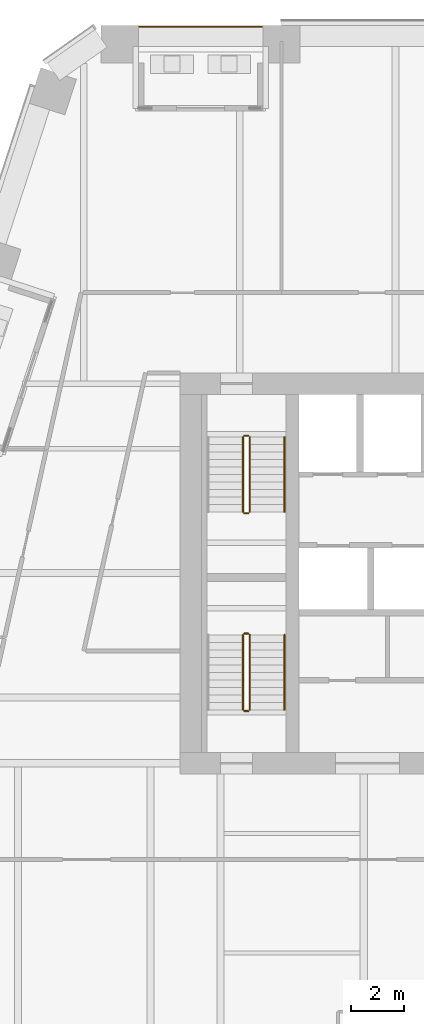
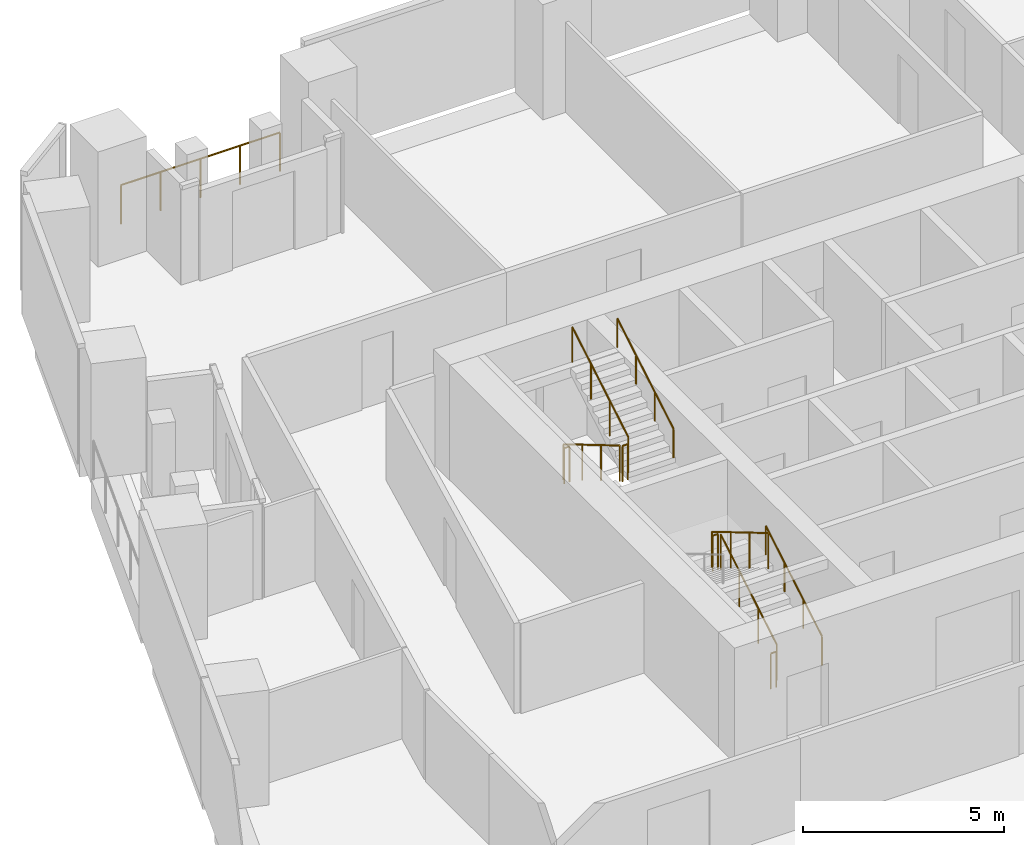
# One storey, part 24 of 26: 11 railings.
"""IFC4 building model written with IfcOpenShell, lengths in metres."""

from ifc_helpers import new_model, si_unit, direction, frame, origin, origin_2d, place, context, subcontext, project, spatial, circle, extrude, material, type_object, element, save


model = new_model("IFC4")

# Units and contexts
model_context = context("Model", 3, precision=1e-05, world=origin(), true_north=direction((0.0, 1.0)))
body_context = subcontext(model_context, "Body", "Model", "MODEL_VIEW")
ifc_project = project(units=[si_unit("LENGTHUNIT", "METRE"), si_unit("AREAUNIT", "SQUARE_METRE"), si_unit("VOLUMEUNIT", "CUBIC_METRE"), si_unit("PLANEANGLEUNIT", "RADIAN"), si_unit("MASSUNIT", "GRAM", prefix="KILO")], contexts=[model_context])

# Site, building, storey
site_placement = place(None, origin())
site = spatial("IfcSite", under=ifc_project, at=site_placement, CompositionType="ELEMENT")
building_placement = place(site_placement, origin())
building = spatial("IfcBuilding", under=site, at=building_placement, Name="Isthmus Gate Tower", CompositionType="ELEMENT")
storey_placement = place(building_placement, frame((0.0, 0.0, 144.39990234375)))
storey = spatial("IfcBuildingStorey", under=building, at=storey_placement, Name="L35", CompositionType="ELEMENT", Elevation=144.39990234375)

# Railings
ifc_material_1 = material(Name="Toughened laminated glass with stainless steel posts", Category="steel")
railing_type_1 = type_object("IfcRailingType", Name="GUARD 1200 FRAMELESS GLASS", PredefinedType="GUARDRAIL", material=ifc_material_1)
railing_1_placement = place(storey_placement, frame((-11.951904296875, 27.949951171875, 0.0)))
element("IfcRailing", 1, at=railing_1_placement, inside=storey, type_object=railing_type_1, Name="LOGGIA GUARD", PredefinedType="GUARDRAIL", context=body_context, shape_type="SweptSolid", body=[
    extrude(circle(Radius=0.02490234375, at=origin_2d()), frame((0.0, 0.0, 1.1748046875), z_axis=(-1.0, 0.0, 0.0), x_axis=(0.0, -1.0, 0.0)), (0.0, 0.0, 1.0), 4.570068359375),
    extrude(circle(Radius=0.02490234375, at=origin_2d()), origin(), (0.0, 0.0, 1.0), 1.14990234375),
    extrude(circle(Radius=0.02490234375, at=origin_2d()), frame((-1.142578125, 0.0, 0.0)), (0.0, 0.0, 1.0), 1.14990234375),
    extrude(circle(Radius=0.02490234375, at=origin_2d()), frame((-2.28515625, 0.0, 0.0)), (0.0, 0.0, 1.0), 1.14990234375),
    extrude(circle(Radius=0.02490234375, at=origin_2d()), frame((-3.427490234375, 0.0, 0.0)), (0.0, 0.0, 1.0), 1.14990234375),
    extrude(circle(Radius=0.02490234375, at=origin_2d()), frame((-4.570068359375, 0.0, 0.0)), (0.0, 0.0, 1.0), 1.14990234375),
])
ifc_material_2 = material(Name="Stainless steel balustrade", Category="steel")
railing_type_2 = type_object("IfcRailingType", Name="STAIR GUARD 1100", PredefinedType="GUARDRAIL", material=ifc_material_2)
railing_2_placement = place(storey_placement, frame((-12.64990234375, 12.60009765625, 0.166015625)))
element("IfcRailing", 2, at=railing_2_placement, inside=storey, type_object=railing_type_2, Name="L35 ST1 stair guard 1", PredefinedType="GUARDRAIL", context=body_context, shape_type="SweptSolid", body=[
    extrude(circle(Radius=0.02392578125, at=origin_2d()), frame((0.0, 0.0, 1.076171875), z_axis=(0.0, -0.860306154799, 0.50977771628), x_axis=(1.0, 0.0, 0.0)), (0.0, 0.0, 1.0), 3.254638671875),
    extrude(circle(Radius=0.02099609375, at=origin_2d()), origin(), (0.0, 0.0, 1.0), 1.052001953125),
    extrude(circle(Radius=0.02099609375, at=origin_2d()), frame((0.0, -0.933349609375, 0.552978515625)), (0.0, 0.0, 1.0), 1.052001953125),
    extrude(circle(Radius=0.02099609375, at=origin_2d()), frame((0.0, -1.86669921875, 1.106201171875)), (0.0, 0.0, 1.0), 1.052001953125),
    extrude(circle(Radius=0.02099609375, at=origin_2d()), frame((0.0, -2.800048828125, 1.6591796875)), (0.0, 0.0, 1.0), 1.052001953125),
])
railing_3_placement = place(storey_placement, frame((-12.60009765625, 9.75, 1.8251953125)))
element("IfcRailing", 3, at=railing_3_placement, inside=storey, type_object=railing_type_2, Name="L35 ST1 stair guard 2", PredefinedType="GUARDRAIL", context=body_context, shape_type="SweptSolid", body=[
    extrude(circle(Radius=0.02392578125, at=origin_2d()), frame((0.0, 0.0, 1.076171875), z_axis=(1.0, 0.0, 0.0), x_axis=(0.0, 1.0, 0.0)), (0.0, 0.0, 1.0), 0.150146484375),
    extrude(circle(Radius=0.02099609375, at=origin_2d()), origin(), (0.0, 0.0, 1.0), 1.052001953125),
    extrude(circle(Radius=0.02099609375, at=origin_2d()), frame((0.150146484375, 0.0, 0.0)), (0.0, 0.0, 1.0), 1.052001953125),
])
railing_4_placement = place(storey_placement, frame((-12.39990234375, 9.800048828125, 1.990966796875)))
element("IfcRailing", 4, at=railing_4_placement, inside=storey, type_object=railing_type_2, Name="L35 ST1 stair guard 3", PredefinedType="GUARDRAIL", context=body_context, shape_type="SweptSolid", body=[
    extrude(circle(Radius=0.02392578125, at=origin_2d()), frame((0.0, 0.0, 1.076171875), z_axis=(0.0, 0.860306154799, 0.50977771628), x_axis=(-1.0, 0.0, 0.0)), (0.0, 0.0, 1.0), 3.254638671875),
    extrude(circle(Radius=0.02099609375, at=origin_2d()), origin(), (0.0, 0.0, 1.0), 1.052001953125),
    extrude(circle(Radius=0.02099609375, at=origin_2d()), frame((0.0, 0.933349609375, 0.552978515625)), (0.0, 0.0, 1.0), 1.052001953125),
    extrude(circle(Radius=0.02099609375, at=origin_2d()), frame((0.0, 1.86669921875, 1.106201171875)), (0.0, 0.0, 1.0), 1.052001953125),
    extrude(circle(Radius=0.02099609375, at=origin_2d()), frame((0.0, 2.800048828125, 1.6591796875)), (0.0, 0.0, 1.0), 1.052001953125),
])
railing_5_placement = place(storey_placement, frame((-12.60009765625, 12.64990234375, 0.0)))
element("IfcRailing", 5, at=railing_5_placement, inside=storey, type_object=railing_type_2, Name="L35 ST1 stair guard 4", PredefinedType="GUARDRAIL", context=body_context, shape_type="SweptSolid", body=[
    extrude(circle(Radius=0.02392578125, at=origin_2d()), frame((0.0, 0.0, 1.076171875), z_axis=(1.0, 0.0, 0.0), x_axis=(0.0, 1.0, 0.0)), (0.0, 0.0, 1.0), 0.150146484375),
    extrude(circle(Radius=0.02099609375, at=origin_2d()), origin(), (0.0, 0.0, 1.0), 1.052001953125),
    extrude(circle(Radius=0.02099609375, at=origin_2d()), frame((0.150146484375, 0.0, 0.0)), (0.0, 0.0, 1.0), 1.052001953125),
])
railing_6_placement = place(storey_placement, frame((-12.39990234375, 2.39990234375, 0.166015625)))
element("IfcRailing", 6, at=railing_6_placement, inside=storey, type_object=railing_type_2, Name="L35 ST7 stair guard 1", PredefinedType="GUARDRAIL", context=body_context, shape_type="SweptSolid", body=[
    extrude(circle(Radius=0.02392578125, at=origin_2d()), frame((0.0, 0.0, 1.076171875), z_axis=(0.0, 0.860306154799, 0.50977771628), x_axis=(-1.0, 0.0, 0.0)), (0.0, 0.0, 1.0), 3.254638671875),
    extrude(circle(Radius=0.02099609375, at=origin_2d()), origin(), (0.0, 0.0, 1.0), 1.052001953125),
    extrude(circle(Radius=0.02099609375, at=origin_2d()), frame((0.0, 0.933349609375, 0.552978515625)), (0.0, 0.0, 1.0), 1.052001953125),
    extrude(circle(Radius=0.02099609375, at=origin_2d()), frame((0.0, 1.86669921875, 1.106201171875)), (0.0, 0.0, 1.0), 1.052001953125),
    extrude(circle(Radius=0.02099609375, at=origin_2d()), frame((0.0, 2.800048828125, 1.6591796875)), (0.0, 0.0, 1.0), 1.052001953125),
])
railing_7_placement = place(storey_placement, frame((-12.449951171875, 5.25, 1.8251953125)))
element("IfcRailing", 7, at=railing_7_placement, inside=storey, type_object=railing_type_2, Name="L35 ST7 stair guard 2", PredefinedType="GUARDRAIL", context=body_context, shape_type="SweptSolid", body=[
    extrude(circle(Radius=0.02392578125, at=origin_2d()), frame((0.0, 0.0, 1.076171875), z_axis=(-1.0, 0.0, 0.0), x_axis=(0.0, -1.0, 0.0)), (0.0, 0.0, 1.0), 0.150146484375),
    extrude(circle(Radius=0.02099609375, at=origin_2d()), origin(), (0.0, 0.0, 1.0), 1.052001953125),
    extrude(circle(Radius=0.02099609375, at=origin_2d()), frame((-0.150146484375, 0.0, 0.0)), (0.0, 0.0, 1.0), 1.052001953125),
])
railing_8_placement = place(storey_placement, frame((-12.64990234375, 5.199951171875, 1.990966796875)))
element("IfcRailing", 8, at=railing_8_placement, inside=storey, type_object=railing_type_2, Name="L35 ST7 stair guard 3", PredefinedType="GUARDRAIL", context=body_context, shape_type="SweptSolid", body=[
    extrude(circle(Radius=0.02392578125, at=origin_2d()), frame((0.0, 0.0, 1.076171875), z_axis=(0.0, -0.860306154799, 0.50977771628), x_axis=(1.0, 0.0, 0.0)), (0.0, 0.0, 1.0), 3.254638671875),
    extrude(circle(Radius=0.02099609375, at=origin_2d()), origin(), (0.0, 0.0, 1.0), 1.052001953125),
    extrude(circle(Radius=0.02099609375, at=origin_2d()), frame((0.0, -0.933349609375, 0.552978515625)), (0.0, 0.0, 1.0), 1.052001953125),
    extrude(circle(Radius=0.02099609375, at=origin_2d()), frame((0.0, -1.86669921875, 1.106201171875)), (0.0, 0.0, 1.0), 1.052001953125),
    extrude(circle(Radius=0.02099609375, at=origin_2d()), frame((0.0, -2.800048828125, 1.6591796875)), (0.0, 0.0, 1.0), 1.052001953125),
])
railing_9_placement = place(storey_placement, frame((-12.449951171875, 2.35009765625, 0.0)))
element("IfcRailing", 9, at=railing_9_placement, inside=storey, type_object=railing_type_2, Name="L35 ST7 stair guard 4", PredefinedType="GUARDRAIL", context=body_context, shape_type="SweptSolid", body=[
    extrude(circle(Radius=0.02392578125, at=origin_2d()), frame((0.0, 0.0, 1.076171875), z_axis=(-1.0, 0.0, 0.0), x_axis=(0.0, -1.0, 0.0)), (0.0, 0.0, 1.0), 0.150146484375),
    extrude(circle(Radius=0.02099609375, at=origin_2d()), origin(), (0.0, 0.0, 1.0), 1.052001953125),
    extrude(circle(Radius=0.02099609375, at=origin_2d()), frame((-0.150146484375, 0.0, 0.0)), (0.0, 0.0, 1.0), 1.052001953125),
])
ifc_material_3 = material(Name="Stainless steel handrail", Category="steel")
railing_type_3 = type_object("IfcRailingType", Name="STAIR HANDRAIL 900", PredefinedType="HANDRAIL", material=ifc_material_3)
for number, where, name in (
    (10, (-11.10009765625, 9.800048828125, 1.990966796875), "L35 ST1 stair handrail 2"),
    (11, (-11.10009765625, 2.39990234375, 0.166015625), "L35 ST7 stair handrail 1"),
):
    element("IfcRailing", number, at=place(storey_placement, frame(where)), inside=storey, type_object=railing_type_3, Name=name, PredefinedType="HANDRAIL", context=body_context, shape_type="SweptSolid", body=[
        extrude(circle(Radius=0.02392578125, at=origin_2d()), frame((0.0, 0.0, 0.8759765625), z_axis=(0.0, 0.860306154799, 0.50977771628), x_axis=(-1.0, 0.0, 0.0)), (0.0, 0.0, 1.0), 3.254638671875),
        extrude(circle(Radius=0.02099609375, at=origin_2d()), origin(), (0.0, 0.0, 1.0), 0.851806640625),
        extrude(circle(Radius=0.02099609375, at=origin_2d()), frame((0.0, 0.933349609375, 0.552978515625)), (0.0, 0.0, 1.0), 0.851806640625),
        extrude(circle(Radius=0.02099609375, at=origin_2d()), frame((0.0, 1.86669921875, 1.106201171875)), (0.0, 0.0, 1.0), 0.851806640625),
        extrude(circle(Radius=0.02099609375, at=origin_2d()), frame((0.0, 2.800048828125, 1.6591796875)), (0.0, 0.0, 1.0), 0.851806640625),
    ])

save(model, "model.ifc")
